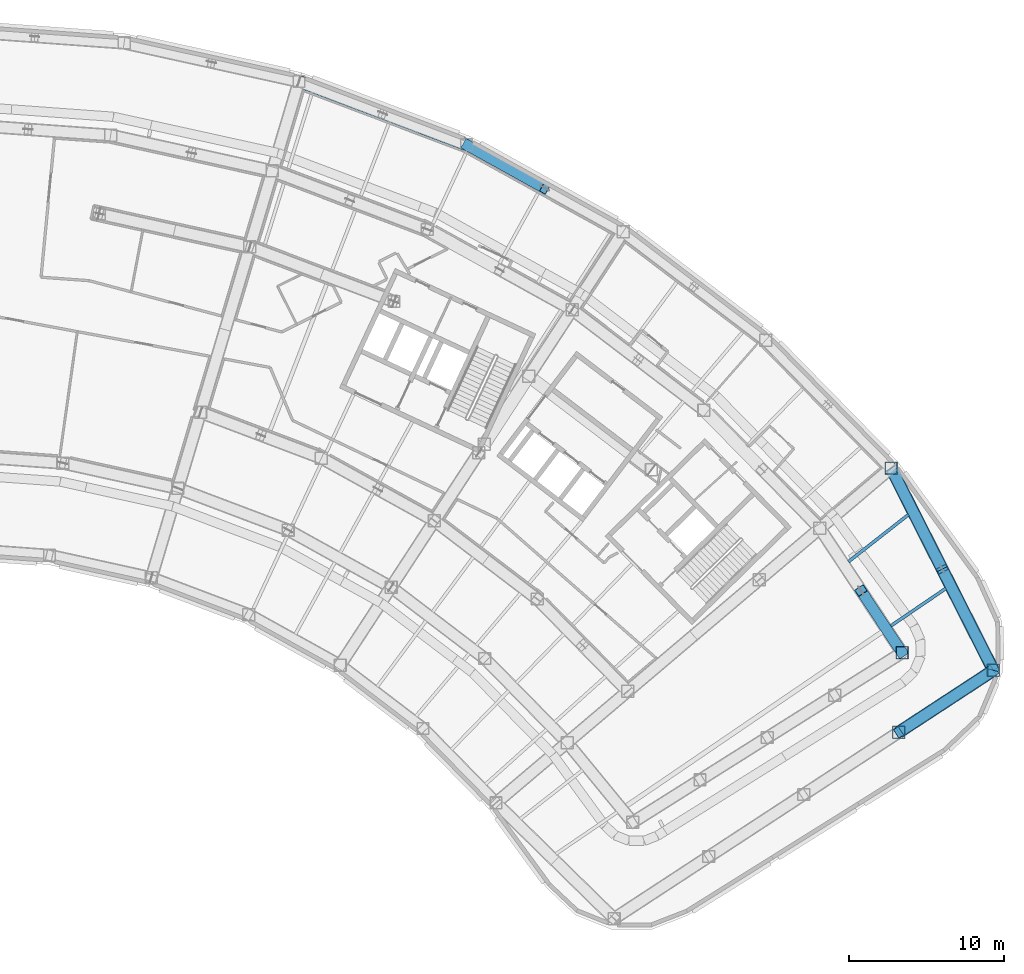
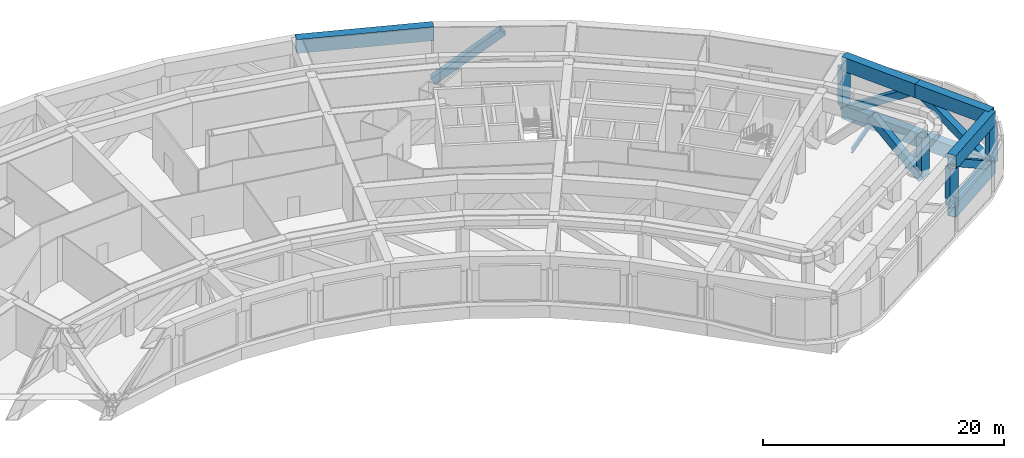
# One storey, part 8 of 30: 9 beams, 9 members.
"""IFC4 building model written with IfcOpenShell, lengths in metres."""

from ifc_helpers import new_model, si_unit, direction, frame, origin, origin_2d, place, context, subcontext, project, spatial, hollow_rectangle, i_section, extrude, material, material_profile, profile_set, type_object, element, save


model = new_model("IFC4")

# Units and contexts
model_context = context("Model", 3, precision=1e-05, world=origin(), true_north=direction((0.0, 1.0)))
body_context = subcontext(model_context, "Body", "Model", "MODEL_VIEW")
ifc_project = project(units=[si_unit("LENGTHUNIT", "METRE"), si_unit("AREAUNIT", "SQUARE_METRE"), si_unit("VOLUMEUNIT", "CUBIC_METRE"), si_unit("PLANEANGLEUNIT", "RADIAN"), si_unit("MASSUNIT", "GRAM", prefix="KILO")], contexts=[model_context])

# Site, building, storey
site_placement = place(None, origin())
site = spatial("IfcSite", under=ifc_project, at=site_placement, CompositionType="ELEMENT")
building_placement = place(site_placement, origin())
building = spatial("IfcBuilding", under=site, at=building_placement, Name="Tuul Gate Civic Tower", CompositionType="ELEMENT")
storey_placement = place(building_placement, frame((0.0, 0.0, 26.699951171875)))
storey = spatial("IfcBuildingStorey", under=building, at=storey_placement, Name="Plant and refuge floor 1", CompositionType="ELEMENT", Elevation=26.699951171875)

# Beams
ifc_material_1 = material(Name="Steel S355", Category="steel")
ifc_material_profile_1 = material_profile(ifc_material_1, i_section(OverallWidth=0.199951171875, OverallDepth=0.5, WebThickness=0.010009765625, FlangeThickness=0.01611328125, at=origin_2d()), Name="PG500x200x10x16")
ifc_profile_set_1 = profile_set([ifc_material_profile_1], Name="Steel S355")
beam_type_1 = type_object("IfcBeamType", Name="STR-FLOOR BEAM-PG500x200x10x16", PredefinedType="BEAM", material=ifc_profile_set_1)
beam_1_placement = place(storey_placement, frame((60.948974609375, -18.50341796875, -0.64990234375), z_axis=(0.826594180871, 0.562798418752, 0.0), x_axis=(-0.562798418752, 0.826594180871, 0.0)))
element("IfcBeam", 1, at=beam_1_placement, inside=storey, type_object=beam_type_1, Name="Floor beam", PredefinedType="BEAM", context=body_context, shape_type="SweptSolid", body=[
    extrude(i_section(OverallWidth=0.199951171875, OverallDepth=0.5, WebThickness=0.010009765625, FlangeThickness=0.01611328125, at=origin_2d()), origin(), (0.0, 0.0, 1.0), 4.29248046875),
])
beam_2_placement = place(storey_placement, frame((58.212646484375, -14.365966796875, -0.64990234375), z_axis=(0.787012969501, 0.616936452025, 0.0), x_axis=(-0.616936452025, 0.787012969501, 0.0)))
element("IfcBeam", 2, at=beam_2_placement, inside=storey, type_object=beam_type_1, Name="Floor beam", PredefinedType="BEAM", context=body_context, shape_type="SweptSolid", body=[
    extrude(i_section(OverallWidth=0.199951171875, OverallDepth=0.5, WebThickness=0.010009765625, FlangeThickness=0.01611328125, at=origin_2d()), origin(), (0.0, 0.0, 1.0), 4.923583984375),
])
ifc_material_2 = material(Name="Steel S460", Category="steel")
ifc_material_profile_2 = material_profile(ifc_material_2, hollow_rectangle(XDim=0.800048828125, YDim=1.39990234375, WallThickness=0.0400390625, at=origin_2d()), Name="BOX1400x800x40")
ifc_profile_set_2 = profile_set([ifc_material_profile_2], Name="Steel S460")
beam_type_2 = type_object("IfcBeamType", Name="STR-TRANSFER TRUSS CHORD-BOX1400x800x40", PredefinedType="BEAM", material=ifc_profile_set_2)
for number, where, z_axis, x_axis, name in (
    (3, (67.56201171875, -21.366943359375, -1.099853515625), (-0.451671620722, 0.892184256213, 0.0), (-0.892184256213, -0.451671620722, 0.0), "Belt truss bottom chord"),
    (4, (64.261474609375, -14.847412109375, -1.099853515625), (-0.451671620722, 0.892184256213, 0.0), (-0.892184256213, -0.451671620722, 0.0), "Belt truss bottom chord"),
    (5, (67.56201171875, -21.366943359375, 3.800048828125), (-0.451671620722, 0.892184256213, 0.0), (-0.892184256213, -0.451671620722, 0.0), "Belt truss top chord"),
    (6, (64.261474609375, -14.847412109375, 3.800048828125), (-0.451671620722, 0.892184256213, 0.0), (-0.892184256213, -0.451671620722, 0.0), "Belt truss top chord"),
):
    element("IfcBeam", number, at=place(storey_placement, frame(where, z_axis=z_axis, x_axis=x_axis)), inside=storey, type_object=beam_type_2, Name=name, PredefinedType="BEAM", context=body_context, shape_type="SweptSolid", body=[
        extrude(hollow_rectangle(XDim=0.800048828125, YDim=1.39990234375, WallThickness=0.0400390625, at=origin_2d()), origin(), (0.0, 0.0, 1.0), 7.307373046875),
    ])
beam_3_placement = place(storey_placement, frame((33.592041015625, 12.510986328125, 3.800048828125), z_axis=(-0.935358493224, 0.353701129703, 0.0), x_axis=(-0.353701129703, -0.935358493224, 0.0)))
element("IfcBeam", 7, at=beam_3_placement, inside=storey, type_object=beam_type_2, Name="Belt truss top chord", PredefinedType="BEAM", context=body_context, shape_type="SweptSolid", body=[
    extrude(hollow_rectangle(XDim=0.800048828125, YDim=1.39990234375, WallThickness=0.0400390625, at=origin_2d()), origin(), (0.0, 0.0, 1.0), 11.54638671875),
])
for number, where, z_axis, x_axis, name in (
    (8, (61.447021484375, -25.368896484375, -1.099853515625), (0.836738253905, 0.547603044597, 0.0), (-0.547603044597, 0.836738253905, 0.0), "Belt truss bottom chord"),
    (9, (61.447021484375, -25.368896484375, 3.800048828125), (0.836738253905, 0.547603044597, 0.0), (-0.547603044597, 0.836738253905, 0.0), "Belt truss top chord"),
):
    element("IfcBeam", number, at=place(storey_placement, frame(where, z_axis=z_axis, x_axis=x_axis)), inside=storey, type_object=beam_type_2, Name=name, PredefinedType="BEAM", context=body_context, shape_type="SweptSolid", body=[
        extrude(hollow_rectangle(XDim=0.800048828125, YDim=1.39990234375, WallThickness=0.0400390625, at=origin_2d()), origin(), (0.0, 0.0, 1.0), 7.30810546875),
    ])

# Members
ifc_material_3 = material(Name="Steel S355", Category="steel")
ifc_material_profile_3 = material_profile(ifc_material_3, hollow_rectangle(XDim=0.699951171875, YDim=0.699951171875, WallThickness=0.031982421875, at=origin_2d()), Name="BOX700x700x32")
ifc_profile_set_3 = profile_set([ifc_material_profile_3], Name="Steel S355")
member_type_1 = type_object("IfcMemberType", Name="STR-TRANSFER TRUSS DIAGONAL-BOX700x700x32", PredefinedType="BRACE", material=ifc_profile_set_3)
for number, where, z_axis, x_axis, name in (
    (10, (67.56396484375, -21.37060546875, -1.102783203125), (-0.375158001218, 0.741002881755, 0.556930160212), (-0.892173330838, -0.451693200901, 0.0), "Belt truss web"),
    (11, (60.959228515625, -8.32421875, -1.102783203125), (0.375126479414, -0.741023084611, 0.556924512403), (0.892193587103, 0.451653188998, 0.0), "Belt truss web"),
):
    element("IfcMember", number, at=place(storey_placement, frame(where, z_axis=z_axis, x_axis=x_axis)), inside=storey, type_object=member_type_1, Name=name, PredefinedType="BRACE", context=body_context, shape_type="SweptSolid", body=[
        extrude(hollow_rectangle(XDim=0.699951171875, YDim=0.699951171875, WallThickness=0.031982421875, at=origin_2d()), origin(), (0.0, 0.0, 1.0), 8.80810546875),
    ])
member_1_placement = place(storey_placement, frame((33.588623046875, 12.512939453125, -1.103271484375), z_axis=(0.666822265176, -0.369633974129, 0.647084841296), x_axis=(0.484818004915, 0.874615059389, 0.0)))
element("IfcMember", 12, at=member_1_placement, inside=storey, type_object=member_type_1, Name="Belt truss web", PredefinedType="BRACE", context=body_context, shape_type="SweptSolid", body=[
    extrude(hollow_rectangle(XDim=0.699951171875, YDim=0.699951171875, WallThickness=0.031982421875, at=origin_2d()), origin(), (0.0, 0.0, 1.0), 7.58251953125),
])
member_2_placement = place(storey_placement, frame((61.6728515625, -20.23291015625, -1.103515625), z_axis=(-0.386120857132, 0.583906540943, 0.714117521932), x_axis=(-0.834121420393, -0.551580869902, 0.0)))
element("IfcMember", 13, at=member_2_placement, inside=storey, type_object=member_type_1, Name="Belt truss web", PredefinedType="BRACE", context=body_context, shape_type="SweptSolid", body=[
    extrude(hollow_rectangle(XDim=0.699951171875, YDim=0.699951171875, WallThickness=0.031982421875, at=origin_2d()), origin(), (0.0, 0.0, 1.0), 6.871826171875),
])
member_3_placement = place(storey_placement, frame((67.5654296875, -21.36474609375, -1.102783203125), z_axis=(-0.694973014637, -0.454843555063, 0.556893032228), x_axis=(0.547618823889, -0.836727926941, 0.0)))
element("IfcMember", 14, at=member_3_placement, inside=storey, type_object=member_type_1, Name="Belt truss web", PredefinedType="BRACE", context=body_context, shape_type="SweptSolid", body=[
    extrude(hollow_rectangle(XDim=0.699951171875, YDim=0.699951171875, WallThickness=0.031982421875, at=origin_2d()), origin(), (0.0, 0.0, 1.0), 8.808837890625),
])
ifc_material_4 = material(Name="Steel S355", Category="steel")
ifc_material_profile_4 = material_profile(ifc_material_4, hollow_rectangle(XDim=0.800048828125, YDim=0.800048828125, WallThickness=0.034912109375, at=origin_2d()), Name="BOX800x800x35")
ifc_profile_set_4 = profile_set([ifc_material_profile_4], Name="Steel S355")
member_type_2 = type_object("IfcMemberType", Name="STR-TRUSS POST-BOX800x800x35", PredefinedType="POST", material=ifc_profile_set_4)
for number, where, z_axis, x_axis, name in (
    (15, (60.9609375, -8.327880859375, -0.594970703125), (0.0, 0.0, 1.0), (1.0, 0.0, 0.0), "Radial truss post"),
    (16, (67.56201171875, -21.366943359375, -0.594970703125), (0.0, 0.0, 1.0), (1.0, 0.0, 0.0), "Belt truss post"),
    (17, (61.6708984375, -20.22998046875, -0.594970703125), (0.0, 0.0, 1.0), (1.0, 0.0, 0.0), "Belt truss post"),
    (18, (61.447021484375, -25.368896484375, -0.594970703125), (0.0, 0.0, 1.0), (1.0, 0.0, 0.0), "Belt truss post"),
):
    element("IfcMember", number, at=place(storey_placement, frame(where, z_axis=z_axis, x_axis=x_axis)), inside=storey, type_object=member_type_2, Name=name, PredefinedType="POST", context=body_context, shape_type="SweptSolid", body=[
        extrude(hollow_rectangle(XDim=0.800048828125, YDim=0.800048828125, WallThickness=0.034912109375, at=origin_2d()), origin(), (0.0, 0.0, 1.0), 3.89013671875),
    ])

save(model, "model.ifc")
